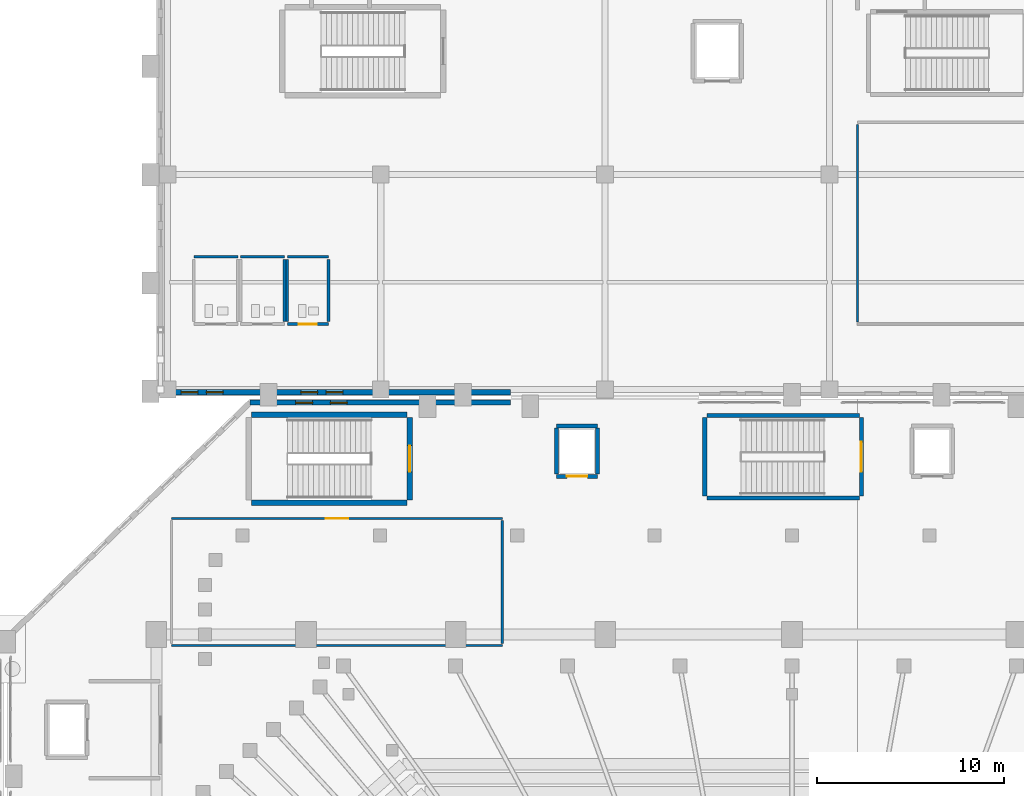
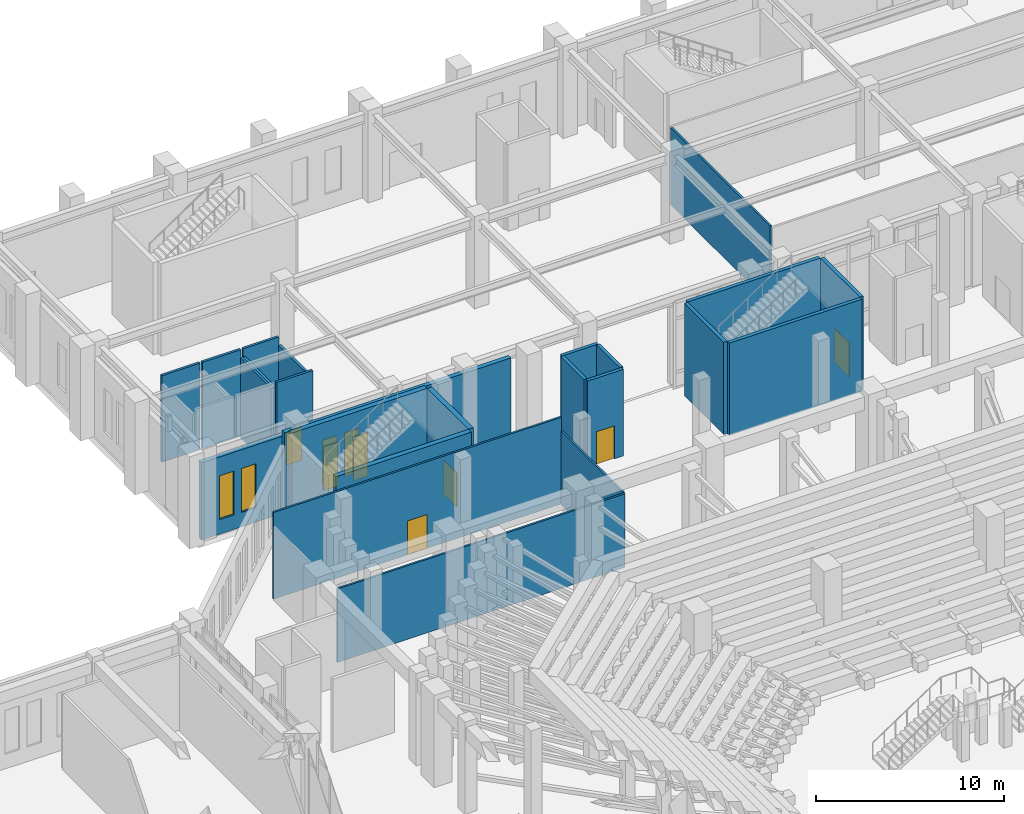
# One storey, part 112 of 143: 24 walls, 6 windows, 5 doors, 11 openings.
"""IFC4 building model written with IfcOpenShell, lengths in metres."""

from ifc_helpers import new_model, si_unit, derived_unit, direction, frame, frame_2d, origin, place, context, subcontext, project, spatial, rectangle, extrude, material, layer, layer_set, type_object, element, fill, save


model = new_model("IFC4")

# Units and contexts
model_context = context("Model", 3, precision=1e-05, world=origin(), true_north=direction((0.0, 1.0)))
body_context = subcontext(model_context, "Body", "Model", "MODEL_VIEW")
ifc_project = project(units=[si_unit("LENGTHUNIT", "METRE"), si_unit("AREAUNIT", "SQUARE_METRE"), si_unit("VOLUMEUNIT", "CUBIC_METRE"), si_unit("PLANEANGLEUNIT", "RADIAN"), si_unit("MASSUNIT", "GRAM", prefix="KILO"), derived_unit("THERMALTRANSMITTANCEUNIT", [(si_unit("MASSUNIT", "GRAM", prefix="KILO"), 1), (si_unit("TIMEUNIT", "SECOND"), -3), (si_unit("THERMODYNAMICTEMPERATUREUNIT", "KELVIN"), -1)])], contexts=[model_context])

# Site, building, storey
site_placement = place(None, origin())
site = spatial("IfcSite", under=ifc_project, at=site_placement, CompositionType="ELEMENT")
building_placement = place(site_placement, origin())
building = spatial("IfcBuilding", under=site, at=building_placement, Name="Valcora Ridge Arena", CompositionType="ELEMENT")
storey_placement = place(building_placement, origin())
storey = spatial("IfcBuildingStorey", under=building, at=storey_placement, Name="L00", CompositionType="ELEMENT", Elevation=0.0)

# Wall, openings, windows
ifc_material_1 = material(Name="Bush-hammered Andean travertine on concrete backup C40/50", Category="masonry")
ifc_layer_1 = layer(ifc_material_1, 0.280029296875, Name="Bush-hammered Andean travertine on concrete backup C40/50")
ifc_layer_set_1 = layer_set([ifc_layer_1], Name="Bush-hammered Andean travertine on concrete backup C40/50")
wall_type_1 = type_object("IfcWallType", Name="TY-WALL-EW-TRV-28-50", PredefinedType="STANDARD", material=ifc_layer_set_1)
wall_1_placement = place(storey_placement, frame((24.219970703125, 108.550048828125, 0.0), z_axis=(0.0, 0.0, 1.0), x_axis=(1.0, 0.0, 0.0)))
wall_1 = element("IfcWall", 1, at=wall_1_placement, inside=storey, type_object=wall_type_1, Name="EW-TRV-28-50 WAL-EW-0129", PredefinedType="STANDARD", context=body_context, shape_type="SweptSolid", body=[
    extrude(rectangle(XDim=18.72998046875, YDim=0.280029296875, at=frame_2d((9.364990234375, 0.0))), origin(), (0.0, 0.0, 1.0), 5.028076171875),
])
opening_1_placement = place(wall_1_placement, frame((1.10009765625, 0.0, 0.949951171875)))
opening_1 = element("IfcOpeningElement", 2, at=opening_1_placement, cuts=wall_1, Name="Opening W-GLAN-90X285", PredefinedType="OPENING", context=body_context, shape_type="SweptSolid", body=[
    extrude(rectangle(XDim=0.89990234375, YDim=2.85009765625, at=frame_2d((0.449951171875, 1.425048828125))), frame((0.0, 0.14990234375, 0.0), z_axis=(0.0, -1.0, 0.0), x_axis=(1.0, 0.0, 0.0)), (0.0, 0.0, 1.0), 0.300048828125),
])
opening_2_placement = place(wall_1_placement, frame((2.449951171875, 0.0, 0.949951171875)))
opening_2 = element("IfcOpeningElement", 3, at=opening_2_placement, cuts=wall_1, Name="Opening W-GLAN-90X285", PredefinedType="OPENING", context=body_context, shape_type="SweptSolid", body=[
    extrude(rectangle(XDim=0.89990234375, YDim=2.85009765625, at=frame_2d((0.449951171875, 1.425048828125))), frame((0.0, 0.14990234375, 0.0), z_axis=(0.0, -1.0, 0.0), x_axis=(1.0, 0.0, 0.0)), (0.0, 0.0, 1.0), 0.300048828125),
])
opening_3_placement = place(wall_1_placement, frame((7.5, 0.0, 0.949951171875)))
opening_3 = element("IfcOpeningElement", 4, at=opening_3_placement, cuts=wall_1, Name="Opening W-GLAN-90X285", PredefinedType="OPENING", context=body_context, shape_type="SweptSolid", body=[
    extrude(rectangle(XDim=0.89990234375, YDim=2.85009765625, at=frame_2d((0.449951171875, 1.425048828125))), frame((0.0, 0.14990234375, 0.0), z_axis=(0.0, -1.0, 0.0), x_axis=(1.0, 0.0, 0.0)), (0.0, 0.0, 1.0), 0.300048828125),
])
opening_4_placement = place(wall_1_placement, frame((8.85009765625, 0.0, 0.949951171875)))
opening_4 = element("IfcOpeningElement", 5, at=opening_4_placement, cuts=wall_1, Name="Opening W-GLAN-90X285", PredefinedType="OPENING", context=body_context, shape_type="SweptSolid", body=[
    extrude(rectangle(XDim=0.89990234375, YDim=2.85009765625, at=frame_2d((0.449951171875, 1.425048828125))), frame((0.0, 0.14990234375, 0.0), z_axis=(0.0, -1.0, 0.0), x_axis=(1.0, 0.0, 0.0)), (0.0, 0.0, 1.0), 0.300048828125),
])
ifc_material_2 = material(Name="Low-iron solar-control double glazing SHGC 0.28", Category="glass")
window_type = type_object("IfcWindowType", Name="TY-WINDOW-W-GLAN-90X285", PartitioningType="DOUBLE_PANEL_VERTICAL", PredefinedType="WINDOW", material=ifc_material_2)
window_1_placement = place(opening_1_placement, origin())
window_1 = element("IfcWindow", 6, at=window_1_placement, inside=storey, type_object=window_type, Name="W-GLAN-90X285 WIN-EX-0382", OverallHeight=2.85009765625, OverallWidth=0.89990234375, PartitioningType="DOUBLE_PANEL_VERTICAL", PredefinedType="WINDOW", context=body_context, shape_type="SweptSolid", body=[
    extrude(rectangle(XDim=0.89990234375, YDim=2.85009765625, at=frame_2d((0.449951171875, 1.425048828125))), frame((0.0, 0.030029296875, 0.0), z_axis=(0.0, -1.0, 0.0), x_axis=(1.0, 0.0, 0.0)), (0.0, 0.0, 1.0), 0.06005859375),
])
fill(opening_1, window_1)
window_2_placement = place(opening_2_placement, origin())
window_2 = element("IfcWindow", 7, at=window_2_placement, inside=storey, type_object=window_type, Name="W-GLAN-90X285 WIN-EX-0383", OverallHeight=2.85009765625, OverallWidth=0.89990234375, PartitioningType="DOUBLE_PANEL_VERTICAL", PredefinedType="WINDOW", context=body_context, shape_type="SweptSolid", body=[
    extrude(rectangle(XDim=0.89990234375, YDim=2.85009765625, at=frame_2d((0.449951171875, 1.425048828125))), frame((0.0, 0.030029296875, 0.0), z_axis=(0.0, -1.0, 0.0), x_axis=(1.0, 0.0, 0.0)), (0.0, 0.0, 1.0), 0.06005859375),
])
fill(opening_2, window_2)
window_3_placement = place(opening_3_placement, origin())
window_3 = element("IfcWindow", 8, at=window_3_placement, inside=storey, type_object=window_type, Name="W-GLAN-90X285 WIN-EX-0384", OverallHeight=2.85009765625, OverallWidth=0.89990234375, PartitioningType="DOUBLE_PANEL_VERTICAL", PredefinedType="WINDOW", context=body_context, shape_type="SweptSolid", body=[
    extrude(rectangle(XDim=0.89990234375, YDim=2.85009765625, at=frame_2d((0.449951171875, 1.425048828125))), frame((0.0, 0.030029296875, 0.0), z_axis=(0.0, -1.0, 0.0), x_axis=(1.0, 0.0, 0.0)), (0.0, 0.0, 1.0), 0.06005859375),
])
fill(opening_3, window_3)
window_4_placement = place(opening_4_placement, origin())
window_4 = element("IfcWindow", 9, at=window_4_placement, inside=storey, type_object=window_type, Name="W-GLAN-90X285 WIN-EX-0385", OverallHeight=2.85009765625, OverallWidth=0.89990234375, PartitioningType="DOUBLE_PANEL_VERTICAL", PredefinedType="WINDOW", context=body_context, shape_type="SweptSolid", body=[
    extrude(rectangle(XDim=0.89990234375, YDim=2.85009765625, at=frame_2d((0.449951171875, 1.425048828125))), frame((0.0, 0.030029296875, 0.0), z_axis=(0.0, -1.0, 0.0), x_axis=(1.0, 0.0, 0.0)), (0.0, 0.0, 1.0), 0.06005859375),
])
fill(opening_4, window_4)

ifc_layer_2 = layer(ifc_material_1, 0.280029296875, Name="Bush-hammered Andean travertine on concrete backup C40/50")
ifc_layer_set_2 = layer_set([ifc_layer_2], Name="Bush-hammered Andean travertine on concrete backup C40/50")
wall_type_2 = type_object("IfcWallType", Name="TY-WALL-EW-TRV-28-56", PredefinedType="STANDARD", material=ifc_layer_set_2)
wall_2_placement = place(storey_placement, frame((29.0, 108.0, 0.0), z_axis=(0.0, 0.0, 1.0), x_axis=(1.0, 0.0, 0.0)))
wall_2 = element("IfcWall", 10, at=wall_2_placement, inside=storey, type_object=wall_type_2, Name="EW-TRV-28-56 WAL-EW-0032", PredefinedType="STANDARD", context=body_context, shape_type="SweptSolid", body=[
    extrude(rectangle(XDim=13.949951171875, YDim=0.280029296875, at=frame_2d((6.97509765625, 0.0))), origin(), (0.0, 0.0, 1.0), 5.639892578125),
])
opening_5_placement = place(wall_2_placement, frame((2.449951171875, 0.0, 0.949951171875)))
opening_5 = element("IfcOpeningElement", 11, at=opening_5_placement, cuts=wall_2, Name="Opening W-GLAN-90X285", PredefinedType="OPENING", context=body_context, shape_type="SweptSolid", body=[
    extrude(rectangle(XDim=0.89990234375, YDim=2.85009765625, at=frame_2d((0.449951171875, 1.425048828125))), frame((0.0, 0.14990234375, 0.0), z_axis=(0.0, -1.0, 0.0), x_axis=(1.0, 0.0, 0.0)), (0.0, 0.0, 1.0), 0.300048828125),
])
opening_6_placement = place(wall_2_placement, frame((4.300048828125, 0.0, 0.949951171875)))
opening_6 = element("IfcOpeningElement", 12, at=opening_6_placement, cuts=wall_2, Name="Opening W-GLAN-90X285", PredefinedType="OPENING", context=body_context, shape_type="SweptSolid", body=[
    extrude(rectangle(XDim=0.89990234375, YDim=2.85009765625, at=frame_2d((0.449951171875, 1.425048828125))), frame((0.0, 0.14990234375, 0.0), z_axis=(0.0, -1.0, 0.0), x_axis=(1.0, 0.0, 0.0)), (0.0, 0.0, 1.0), 0.300048828125),
])
window_5_placement = place(opening_5_placement, origin())
window_5 = element("IfcWindow", 13, at=window_5_placement, inside=storey, type_object=window_type, Name="W-GLAN-90X285 WIN-EX-0068", OverallHeight=2.85009765625, OverallWidth=0.89990234375, PartitioningType="DOUBLE_PANEL_VERTICAL", PredefinedType="WINDOW", context=body_context, shape_type="SweptSolid", body=[
    extrude(rectangle(XDim=0.89990234375, YDim=2.85009765625, at=frame_2d((0.449951171875, 1.425048828125))), frame((0.0, 0.030029296875, 0.0), z_axis=(0.0, -1.0, 0.0), x_axis=(1.0, 0.0, 0.0)), (0.0, 0.0, 1.0), 0.06005859375),
])
fill(opening_5, window_5)
window_6_placement = place(opening_6_placement, origin())
window_6 = element("IfcWindow", 14, at=window_6_placement, inside=storey, type_object=window_type, Name="W-GLAN-90X285 WIN-EX-0069", OverallHeight=2.85009765625, OverallWidth=0.89990234375, PartitioningType="DOUBLE_PANEL_VERTICAL", PredefinedType="WINDOW", context=body_context, shape_type="SweptSolid", body=[
    extrude(rectangle(XDim=0.89990234375, YDim=2.85009765625, at=frame_2d((0.449951171875, 1.425048828125))), frame((0.0, 0.030029296875, 0.0), z_axis=(0.0, -1.0, 0.0), x_axis=(1.0, 0.0, 0.0)), (0.0, 0.0, 1.0), 0.06005859375),
])
fill(opening_6, window_6)

# Walls
ifc_material_3 = material(Name="Fire-rated masonry-core compartment wall C35/45 150 mm", Category="masonry")
ifc_layer_3 = layer(ifc_material_3, 0.14990234375, Name="Fire-rated masonry-core compartment wall C35/45 150 mm")
ifc_layer_set_3 = layer_set([ifc_layer_3], Name="Fire-rated masonry-core compartment wall C35/45 150 mm")
wall_type_3 = type_object("IfcWallType", Name="TY-WALL-IW-COMP-150", PredefinedType="STANDARD", material=ifc_layer_set_3)
for number, where, z_axis, x_axis, name in (
    (15, (26.0, 115.800048828125, 0.0), (0.0, 0.0, 1.0), (1.0, 0.0, 0.0), "IW-COMP-150 WAL-IN-0072"),
    (16, (28.5, 115.800048828125, 0.0), (0.0, 0.0, 1.0), (1.0, 0.0, 0.0), "IW-COMP-150 WAL-IN-0076"),
):
    element("IfcWall", number, at=place(storey_placement, frame(where, z_axis=z_axis, x_axis=x_axis)), inside=storey, type_object=wall_type_3, Name=name, PredefinedType="STANDARD", context=body_context, shape_type="SweptSolid", body=[
        extrude(rectangle(XDim=2.35009765625, YDim=0.14990234375, at=frame_2d((1.175048828125, 0.0))), origin(), (0.0, 0.0, 1.0), 5.639892578125),
    ])
wall_3_placement = place(storey_placement, frame((30.85009765625, 112.35009765625, 0.0), z_axis=(0.0, 0.0, 1.0), x_axis=(0.0, 1.0, 0.0)))
element("IfcWall", 17, at=wall_3_placement, inside=storey, type_object=wall_type_3, Name="IW-COMP-150 WAL-IN-0078", PredefinedType="STANDARD", context=body_context, shape_type="SweptSolid", body=[
    extrude(rectangle(XDim=3.2998046875, YDim=0.14990234375, at=frame_2d((1.64990234375, 0.0))), origin(), (0.0, 0.0, 1.0), 5.18310546875),
])

# Wall, opening, door
wall_4_placement = place(storey_placement, frame((31.0, 112.199951171875, 0.0), z_axis=(0.0, 0.0, 1.0), x_axis=(1.0, 0.0, 0.0)))
wall_4 = element("IfcWall", 18, at=wall_4_placement, inside=storey, type_object=wall_type_3, Name="IW-COMP-150 WAL-IN-0079", PredefinedType="STANDARD", context=body_context, shape_type="SweptSolid", body=[
    extrude(rectangle(XDim=2.199951171875, YDim=0.14990234375, at=frame_2d((1.10009765625, 0.0))), origin(), (0.0, 0.0, 1.0), 5.639892578125),
])
opening_7_placement = place(wall_4_placement, frame((0.625, 0.0, 0.0)))
opening_7 = element("IfcOpeningElement", 19, at=opening_7_placement, cuts=wall_4, Name="Opening D-WC-950", PredefinedType="OPENING", context=body_context, shape_type="SweptSolid", body=[
    extrude(rectangle(XDim=0.949951171875, YDim=2.14990234375, at=frame_2d((0.47509765625, 1.074951171875))), frame((0.0, 0.0849609375, 0.0), z_axis=(0.0, -1.0, 0.0), x_axis=(1.0, 0.0, 0.0)), (0.0, 0.0, 1.0), 0.169921875),
])
ifc_material_4 = material(Name="Insulated fire-rated steel door leaf", Category="steel")
door_type_1 = type_object("IfcDoorType", Name="TY-DOOR-D-WC-950", OperationType="NOTDEFINED", PredefinedType="DOOR", material=ifc_material_4)
door_1_placement = place(opening_7_placement, origin())
door_1 = element("IfcDoor", 20, at=door_1_placement, inside=storey, type_object=door_type_1, Name="D-WC-950 DOR-IN-0024", OperationType="SINGLE_SWING_RIGHT", OverallHeight=2.14990234375, OverallWidth=0.949951171875, PredefinedType="DOOR", context=body_context, shape_type="SweptSolid", body=[
    extrude(rectangle(XDim=0.949951171875, YDim=2.14990234375, at=frame_2d((0.47509765625, 1.074951171875))), frame((0.0, 0.02490234375, 0.0), z_axis=(0.0, -1.0, 0.0), x_axis=(1.0, 0.0, 0.0)), (0.0, 0.0, 1.0), 0.050048828125),
])
fill(opening_7, door_1)

# Walls
wall_5_placement = place(storey_placement, frame((31.0, 115.800048828125, 0.0), z_axis=(0.0, 0.0, 1.0), x_axis=(1.0, 0.0, 0.0)))
element("IfcWall", 21, at=wall_5_placement, inside=storey, type_object=wall_type_3, Name="IW-COMP-150 WAL-IN-0080", PredefinedType="STANDARD", context=body_context, shape_type="SweptSolid", body=[
    extrude(rectangle(XDim=2.199951171875, YDim=0.14990234375, at=frame_2d((1.10009765625, 0.0))), origin(), (0.0, 0.0, 1.0), 5.639892578125),
])
for number, where, z_axis, x_axis, name in (
    (22, (31.0, 112.35009765625, 0.0), (0.0, 0.0, 1.0), (0.0, 1.0, 0.0), "IW-COMP-150 WAL-IN-0081"),
    (23, (33.199951171875, 112.35009765625, 0.0), (0.0, 0.0, 1.0), (0.0, 1.0, 0.0), "IW-COMP-150 WAL-IN-0082"),
):
    element("IfcWall", number, at=place(storey_placement, frame(where, z_axis=z_axis, x_axis=x_axis)), inside=storey, type_object=wall_type_3, Name=name, PredefinedType="STANDARD", context=body_context, shape_type="SweptSolid", body=[
        extrude(rectangle(XDim=3.2998046875, YDim=0.14990234375, at=frame_2d((1.64990234375, 0.0))), origin(), (0.0, 0.0, 1.0), 5.18310546875),
    ])
ifc_material_5 = material(Name="Acoustic metal-stud gypsum partition 120 mm")
ifc_layer_4 = layer(ifc_material_5, 0.1201171875, Name="Acoustic metal-stud gypsum partition 120 mm")
ifc_layer_set_4 = layer_set([ifc_layer_4], Name="Acoustic metal-stud gypsum partition 120 mm")
wall_type_4 = type_object("IfcWallType", Name="TY-WALL-IW-PART-120", PredefinedType="PARTITIONING", material=ifc_layer_set_4)
wall_6_placement = place(storey_placement, frame((24.800048828125, 95.0, 0.0), z_axis=(0.0, 0.0, 1.0), x_axis=(1.0, 0.0, 0.0)))
element("IfcWall", 24, at=wall_6_placement, inside=storey, type_object=wall_type_4, Name="IW-PART-120 WAL-IN-0215", PredefinedType="PARTITIONING", context=body_context, shape_type="SweptSolid", body=[
    extrude(rectangle(XDim=17.699951171875, YDim=0.1201171875, at=frame_2d((8.85009765625, 0.0))), origin(), (0.0, 0.0, 1.0), 4.7900390625),
])

# Wall, opening, door
wall_7_placement = place(storey_placement, frame((24.800048828125, 101.800048828125, 0.0), z_axis=(0.0, 0.0, 1.0), x_axis=(1.0, 0.0, 0.0)))
wall_7 = element("IfcWall", 25, at=wall_7_placement, inside=storey, type_object=wall_type_4, Name="IW-PART-120 WAL-IN-0216", PredefinedType="PARTITIONING", context=body_context, shape_type="SweptSolid", body=[
    extrude(rectangle(XDim=17.699951171875, YDim=0.1201171875, at=frame_2d((8.85009765625, 0.0))), origin(), (0.0, 0.0, 1.0), 5.639892578125),
])
opening_8_placement = place(wall_7_placement, frame((8.25, 0.0, 0.0)))
opening_8 = element("IfcOpeningElement", 26, at=opening_8_placement, cuts=wall_7, Name="Opening D-ATH-1200", PredefinedType="OPENING", context=body_context, shape_type="SweptSolid", body=[
    extrude(rectangle(XDim=1.199951171875, YDim=2.199951171875, at=frame_2d((0.60009765625, 1.10009765625))), frame((0.0, 0.070068359375, 0.0), z_axis=(0.0, -1.0, 0.0), x_axis=(1.0, 0.0, 0.0)), (0.0, 0.0, 1.0), 0.14013671875),
])
ifc_material_6 = material(Name="Solid-core acoustic timber veneer door leaf", Category="wood")
door_type_2 = type_object("IfcDoorType", Name="TY-DOOR-D-ATH-1200", OperationType="NOTDEFINED", PredefinedType="DOOR", material=ifc_material_6)
door_2_placement = place(opening_8_placement, origin())
door_2 = element("IfcDoor", 27, at=door_2_placement, inside=storey, type_object=door_type_2, Name="D-ATH-1200 DOR-IN-0058", OperationType="SINGLE_SWING_LEFT", OverallHeight=2.199951171875, OverallWidth=1.199951171875, PredefinedType="DOOR", context=body_context, shape_type="SweptSolid", body=[
    extrude(rectangle(XDim=1.199951171875, YDim=2.199951171875, at=frame_2d((0.60009765625, 1.10009765625))), frame((0.0, 0.02490234375, 0.0), z_axis=(0.0, -1.0, 0.0), x_axis=(1.0, 0.0, 0.0)), (0.0, 0.0, 1.0), 0.050048828125),
])
fill(opening_8, door_2)

# Walls
wall_8_placement = place(storey_placement, frame((42.5, 95.1201171875, 0.0), z_axis=(0.0, 0.0, 1.0), x_axis=(0.0, 1.0, 0.0)))
element("IfcWall", 28, at=wall_8_placement, inside=storey, type_object=wall_type_4, Name="IW-PART-120 WAL-IN-0218", PredefinedType="PARTITIONING", context=body_context, shape_type="SweptSolid", body=[
    extrude(rectangle(XDim=6.559814453125, YDim=0.1201171875, at=frame_2d((3.27978515625, 0.0))), origin(), (0.0, 0.0, 1.0), 4.7900390625),
])
wall_9_placement = place(storey_placement, frame((61.5, 112.320068359375, 0.0), z_axis=(0.0, 0.0, 1.0), x_axis=(0.0, 1.0, 0.0)))
element("IfcWall", 29, at=wall_9_placement, inside=storey, type_object=wall_type_4, Name="IW-PART-120 WAL-IN-0275", PredefinedType="PARTITIONING", context=body_context, shape_type="SweptSolid", body=[
    extrude(rectangle(XDim=10.559814453125, YDim=0.1201171875, at=frame_2d((5.27978515625, 0.0))), origin(), (0.0, 0.0, 1.0), 5.028076171875),
])

# Wall, opening, door
ifc_material_7 = material(Name="Concrete C40/50", Category="concrete")
ifc_layer_5 = layer(ifc_material_7, 0.199951171875, Name="Concrete C40/50")
ifc_layer_set_5 = layer_set([ifc_layer_5], Name="Concrete C40/50")
wall_type_5 = type_object("IfcWallType", Name="TY-WALL-IW-SHF-200", PredefinedType="STANDARD", material=ifc_layer_set_5)
wall_10_placement = place(storey_placement, frame((45.39990234375, 104.050048828125, 0.0), z_axis=(0.0, 0.0, 1.0), x_axis=(1.0, 0.0, 0.0)))
wall_10 = element("IfcWall", 30, at=wall_10_placement, inside=storey, type_object=wall_type_5, Name="IW-SHF-200 WAL-SH-0109", PredefinedType="STANDARD", context=body_context, shape_type="SweptSolid", body=[
    extrude(rectangle(XDim=2.2001953125, YDim=0.199951171875, at=frame_2d((1.10009765625, 0.0))), origin(), (0.0, 0.0, 1.0), 5.639892578125),
])
opening_9_placement = place(wall_10_placement, frame((0.550048828125, 0.0, 0.0)))
opening_9 = element("IfcOpeningElement", 31, at=opening_9_placement, cuts=wall_10, Name="Opening LD-PAX", PredefinedType="OPENING", context=body_context, shape_type="SweptSolid", body=[
    extrude(rectangle(XDim=1.10009765625, YDim=2.14990234375, at=frame_2d((0.550048828125, 1.074951171875))), frame((0.0, 0.10986328125, 0.0), z_axis=(0.0, -1.0, 0.0), x_axis=(1.0, 0.0, 0.0)), (0.0, 0.0, 1.0), 0.219970703125),
])
ifc_material_8 = material(Name="Insulated fire-rated hollow metal steel", Category="steel")
door_type_3 = type_object("IfcDoorType", Name="TY-DOOR-LD-PAX", OperationType="NOTDEFINED", PredefinedType="DOOR", material=ifc_material_8)
door_3_placement = place(opening_9_placement, origin())
door_3 = element("IfcDoor", 32, at=door_3_placement, inside=storey, type_object=door_type_3, Name="PL3 Landing Door L00", OperationType="SLIDING_TO_LEFT", OverallHeight=2.14990234375, OverallWidth=1.10009765625, PredefinedType="DOOR", context=body_context, shape_type="SweptSolid", body=[
    extrude(rectangle(XDim=1.10009765625, YDim=2.14990234375, at=frame_2d((0.550048828125, 1.074951171875))), frame((0.0, 0.02490234375, 0.0), z_axis=(0.0, -1.0, 0.0), x_axis=(1.0, 0.0, 0.0)), (0.0, 0.0, 1.0), 0.050048828125),
])
fill(opening_9, door_3)

# Walls
wall_11_placement = place(storey_placement, frame((45.39990234375, 106.75, 0.0), z_axis=(0.0, 0.0, 1.0), x_axis=(1.0, 0.0, 0.0)))
element("IfcWall", 33, at=wall_11_placement, inside=storey, type_object=wall_type_5, Name="IW-SHF-200 WAL-SH-0110", PredefinedType="STANDARD", context=body_context, shape_type="SweptSolid", body=[
    extrude(rectangle(XDim=2.2001953125, YDim=0.199951171875, at=frame_2d((1.10009765625, 0.0))), origin(), (0.0, 0.0, 1.0), 5.639892578125),
])
for number, where, z_axis, x_axis, name in (
    (34, (45.39990234375, 104.169921875, 0.0), (0.0, 0.0, 1.0), (0.0, 1.0, 0.0), "IW-SHF-200 WAL-SH-0111"),
    (35, (47.60009765625, 104.169921875, 0.0), (0.0, 0.0, 1.0), (0.0, 1.0, 0.0), "IW-SHF-200 WAL-SH-0112"),
):
    element("IfcWall", number, at=place(storey_placement, frame(where, z_axis=z_axis, x_axis=x_axis)), inside=storey, type_object=wall_type_5, Name=name, PredefinedType="STANDARD", context=body_context, shape_type="SweptSolid", body=[
        extrude(rectangle(XDim=2.4599609375, YDim=0.199951171875, at=frame_2d((1.22998046875, 0.0))), origin(), (0.0, 0.0, 1.0), 5.639892578125),
    ])
ifc_material_9 = material(Name="Concrete C45/55", Category="concrete")
ifc_layer_6 = layer(ifc_material_9, 0.300048828125, Name="Concrete C45/55")
ifc_layer_set_6 = layer_set([ifc_layer_6], Name="Concrete C45/55")
wall_type_6 = type_object("IfcWallType", Name="TY-WALL-SW-C300-L", PredefinedType="SHEAR", material=ifc_layer_set_6)
for number, where, z_axis, x_axis, name in (
    (36, (29.080078125, 102.64990234375, 0.0), (0.0, 0.0, 1.0), (1.0, 0.0, 0.0), "SW-C300-L WAL-CR-0057"),
    (37, (29.080078125, 107.35009765625, 0.0), (0.0, 0.0, 1.0), (1.0, 0.0, 0.0), "SW-C300-L WAL-CR-0058"),
):
    element("IfcWall", number, at=place(storey_placement, frame(where, z_axis=z_axis, x_axis=x_axis)), inside=storey, type_object=wall_type_6, Name=name, PredefinedType="SHEAR", context=body_context, shape_type="SweptSolid", body=[
        extrude(rectangle(XDim=8.31982421875, YDim=0.300048828125, at=frame_2d((4.159912109375, 0.0))), origin(), (0.0, 0.0, 1.0), 6.0),
    ])

# Wall, opening, door
ifc_layer_7 = layer(ifc_material_9, 0.300048828125, Name="Concrete C45/55")
ifc_layer_set_7 = layer_set([ifc_layer_7], Name="Concrete C45/55")
wall_type_7 = type_object("IfcWallType", Name="TY-WALL-SW-C300-S", PredefinedType="SHEAR", material=ifc_layer_set_7)
wall_12_placement = place(storey_placement, frame((37.550048828125, 102.800048828125, 0.0), z_axis=(0.0, 0.0, 1.0), x_axis=(0.0, 1.0, 0.0)))
wall_12 = element("IfcWall", 38, at=wall_12_placement, inside=storey, type_object=wall_type_7, Name="SW-C300-S WAL-CR-0060", PredefinedType="SHEAR", context=body_context, shape_type="SweptSolid", body=[
    extrude(rectangle(XDim=4.39990234375, YDim=0.300048828125, at=frame_2d((2.199951171875, 0.0))), origin(), (0.0, 0.0, 1.0), 6.0),
])
opening_10_placement = place(wall_12_placement, frame((1.5, 0.0, 0.0)))
opening_10 = element("IfcOpeningElement", 39, at=opening_10_placement, cuts=wall_12, Name="Opening FD-01", PredefinedType="OPENING", context=body_context, shape_type="SweptSolid", body=[
    extrude(rectangle(XDim=1.39990234375, YDim=2.199951171875, at=frame_2d((0.699951171875, 1.10009765625))), frame((0.0, 0.159912109375, 0.0), z_axis=(0.0, -1.0, 0.0), x_axis=(1.0, 0.0, 0.0)), (0.0, 0.0, 1.0), 0.320068359375),
])
door_type_4 = type_object("IfcDoorType", Name="TY-DOOR-FD-01", OperationType="NOTDEFINED", PredefinedType="DOOR", material=ifc_material_4)
door_4_placement = place(opening_10_placement, origin())
door_4 = element("IfcDoor", 40, at=door_4_placement, inside=storey, type_object=door_type_4, Name="FD-01 DOR-ST-0015", OperationType="DOUBLE_DOOR_SINGLE_SWING", OverallHeight=2.199951171875, OverallWidth=1.39990234375, PredefinedType="DOOR", context=body_context, shape_type="SweptSolid", body=[
    extrude(rectangle(XDim=1.39990234375, YDim=2.199951171875, at=frame_2d((0.699951171875, 1.10009765625))), frame((0.0, 0.02490234375, 0.0), z_axis=(0.0, -1.0, 0.0), x_axis=(1.0, 0.0, 0.0)), (0.0, 0.0, 1.0), 0.050048828125),
])
fill(opening_10, door_4)

# Walls
ifc_material_10 = material(Name="Fire-resisting reinforced concrete enclosure C40/50 200 mm", Category="concrete")
ifc_layer_8 = layer(ifc_material_10, 0.219970703125, Name="Fire-resisting reinforced concrete enclosure C40/50 200 mm")
ifc_layer_set_8 = layer_set([ifc_layer_8], Name="Fire-resisting reinforced concrete enclosure C40/50 200 mm")
wall_type_8 = type_object("IfcWallType", Name="TY-WALL-SW-ES-220", PredefinedType="SHEAR", material=ifc_layer_set_8)
for number, where, z_axis, x_axis, name in (
    (41, (53.43994140625, 102.889892578125, 0.0), (0.0, 0.0, 1.0), (1.0, 0.0, 0.0), "SW-ES-220 WAL-ES-0053"),
    (42, (53.43994140625, 107.31005859375, 0.0), (0.0, 0.0, 1.0), (1.0, 0.0, 0.0), "SW-ES-220 WAL-ES-0054"),
):
    element("IfcWall", number, at=place(storey_placement, frame(where, z_axis=z_axis, x_axis=x_axis)), inside=storey, type_object=wall_type_8, Name=name, PredefinedType="SHEAR", context=body_context, shape_type="SweptSolid", body=[
        extrude(rectangle(XDim=8.16015625, YDim=0.219970703125, at=frame_2d((4.080078125, 0.0))), origin(), (0.0, 0.0, 1.0), 6.0),
    ])
wall_13_placement = place(storey_placement, frame((53.330078125, 103.0, 0.0), z_axis=(0.0, 0.0, 1.0), x_axis=(0.0, 1.0, 0.0)))
element("IfcWall", 43, at=wall_13_placement, inside=storey, type_object=wall_type_8, Name="SW-ES-220 WAL-ES-0055", PredefinedType="SHEAR", context=body_context, shape_type="SweptSolid", body=[
    extrude(rectangle(XDim=4.199951171875, YDim=0.219970703125, at=frame_2d((2.10009765625, 0.0))), origin(), (0.0, 0.0, 1.0), 6.0),
])

# Wall, opening, door
wall_14_placement = place(storey_placement, frame((61.7099609375, 103.0, 0.0), z_axis=(0.0, 0.0, 1.0), x_axis=(0.0, 1.0, 0.0)))
wall_14 = element("IfcWall", 44, at=wall_14_placement, inside=storey, type_object=wall_type_8, Name="SW-ES-220 WAL-ES-0056", PredefinedType="SHEAR", context=body_context, shape_type="SweptSolid", body=[
    extrude(rectangle(XDim=4.199951171875, YDim=0.219970703125, at=frame_2d((2.10009765625, 0.0))), origin(), (0.0, 0.0, 1.0), 6.0),
])
opening_11_placement = place(wall_14_placement, frame((1.300048828125, 0.0, 0.0)))
opening_11 = element("IfcOpeningElement", 45, at=opening_11_placement, cuts=wall_14, Name="Opening FD-02", PredefinedType="OPENING", context=body_context, shape_type="SweptSolid", body=[
    extrude(rectangle(XDim=1.60009765625, YDim=2.199951171875, at=frame_2d((0.800048828125, 1.10009765625))), frame((0.0, 0.119873046875, 0.0), z_axis=(0.0, -1.0, 0.0), x_axis=(1.0, 0.0, 0.0)), (0.0, 0.0, 1.0), 0.239990234375),
])
door_type_5 = type_object("IfcDoorType", Name="TY-DOOR-FD-02", OperationType="NOTDEFINED", PredefinedType="DOOR", material=ifc_material_4)
door_5_placement = place(opening_11_placement, origin())
door_5 = element("IfcDoor", 46, at=door_5_placement, inside=storey, type_object=door_type_5, Name="FD-02 DOR-ES-0011", OperationType="DOUBLE_DOOR_SINGLE_SWING", OverallHeight=2.199951171875, OverallWidth=1.60009765625, PredefinedType="DOOR", context=body_context, shape_type="SweptSolid", body=[
    extrude(rectangle(XDim=1.60009765625, YDim=2.199951171875, at=frame_2d((0.800048828125, 1.10009765625))), frame((0.0, 0.02490234375, 0.0), z_axis=(0.0, -1.0, 0.0), x_axis=(1.0, 0.0, 0.0)), (0.0, 0.0, 1.0), 0.050048828125),
])
fill(opening_11, door_5)

save(model, "model.ifc")
